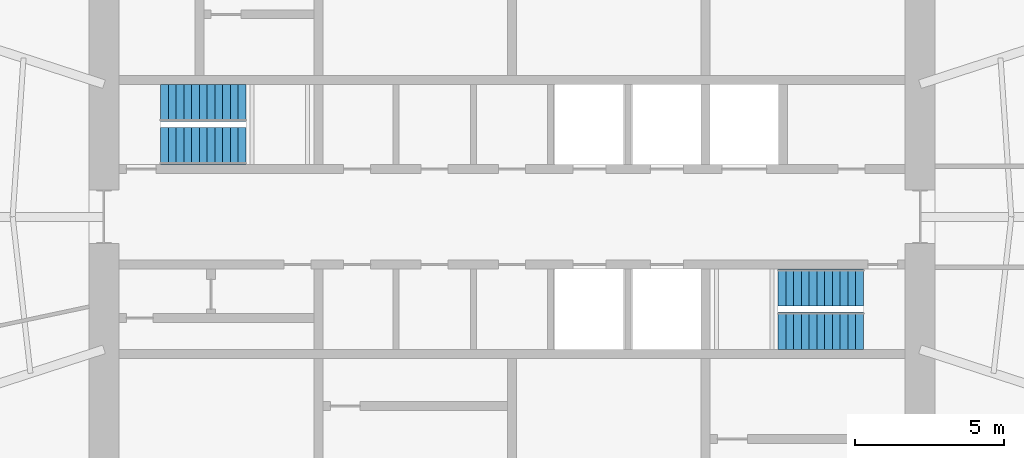
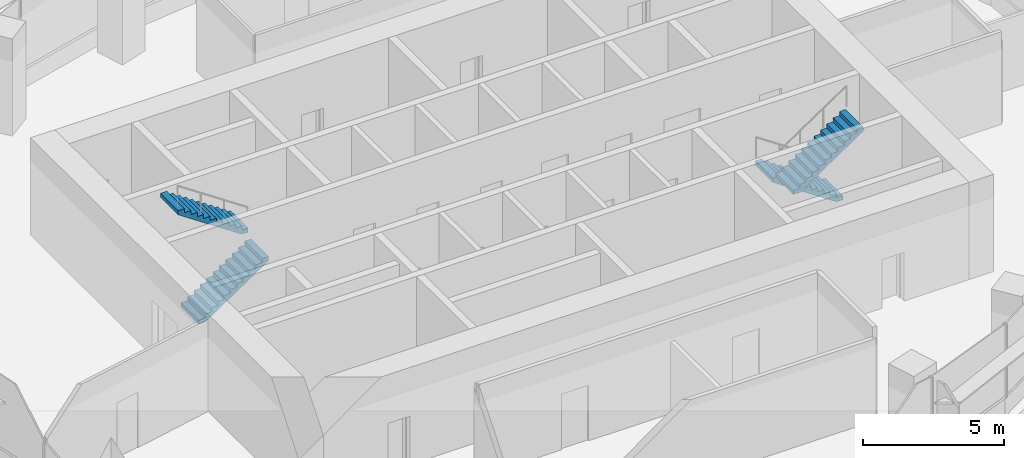
# One storey, part 11 of 13: 4 stair flights, 2 elements without a shape of their own.
"""IFC4 building model written with IfcOpenShell, lengths in metres."""

from ifc_helpers import new_model, si_unit, direction, frame, origin, place, context, subcontext, project, spatial, polyline, outline, extrude, material, type_object, element, aggregate, save


model = new_model("IFC4")

# Units and contexts
model_context = context("Model", 3, precision=1e-05, world=origin(), true_north=direction((0.0, 1.0)))
body_context = subcontext(model_context, "Body", "Model", "MODEL_VIEW")
ifc_project = project(units=[si_unit("LENGTHUNIT", "METRE"), si_unit("AREAUNIT", "SQUARE_METRE"), si_unit("VOLUMEUNIT", "CUBIC_METRE"), si_unit("PLANEANGLEUNIT", "RADIAN"), si_unit("MASSUNIT", "GRAM", prefix="KILO")], contexts=[model_context])

# Site, building, storey
site_placement = place(None, origin())
site = spatial("IfcSite", under=ifc_project, at=site_placement, CompositionType="ELEMENT")
building_placement = place(site_placement, origin())
building = spatial("IfcBuilding", under=site, at=building_placement, Name="Marramba Exchange Tower", CompositionType="ELEMENT")
storey_placement = place(building_placement, frame((0.0, 0.0, 272.800048828125)))
storey = spatial("IfcBuildingStorey", under=building, at=storey_placement, Name="L66", CompositionType="ELEMENT", Elevation=272.800048828125)

# Stair, stair flights
ifc_material = material(Name="Concrete N40 (40 MPa)", Category="concrete")
stair_type_1 = type_object("IfcStairType", Name="Exit stair ST1 4200 x 1250", PredefinedType="HALF_TURN_STAIR", material=ifc_material)
stair_1_placement = place(storey_placement, origin())
stair_1 = element("IfcStair", 1, at=stair_1_placement, inside=storey, type_object=stair_type_1, Name="Exit stair ST1 L66", PredefinedType="HALF_TURN_STAIR")
stair_flight_type_1 = type_object("IfcStairFlightType", Name="ST1 stair flight 1750 riser 1250 wide", PredefinedType="STRAIGHT", material=ifc_material)
stair_flight_1_placement = place(storey_placement, frame((-11.800048828125, 2.375, 0.0), z_axis=(0.0, 0.0, 1.0), x_axis=(1.0, 0.0, 0.0)))
stair_flight_1 = element("IfcStairFlight", 2, at=stair_flight_1_placement, type_object=stair_flight_type_1, Name="ST1 flight 1", NumberOfRisers=12, NumberOfTreads=11, PredefinedType="STRAIGHT", RiserHeight=0.175, TreadLength=0.26, context=body_context, shape_type="SweptSolid", body=[
    extrude(outline(polyline([(0.0, 0.0), (0.0, 0.175048828125), (0.260009765625, 0.175048828125), (0.260009765625, 0.35009765625), (0.52001953125, 0.35009765625), (0.52001953125, 0.52490234375), (0.780029296875, 0.52490234375), (0.780029296875, 0.699951171875), (1.0400390625, 0.699951171875), (1.0400390625, 0.875), (1.300048828125, 0.875), (1.300048828125, 1.050048828125), (1.56005859375, 1.050048828125), (1.56005859375, 1.22509765625), (1.820068359375, 1.22509765625), (1.820068359375, 1.39990234375), (2.080078125, 1.39990234375), (2.080078125, 1.574951171875), (2.340087890625, 1.574951171875), (2.340087890625, 1.75), (2.60009765625, 1.75), (2.60009765625, 1.925048828125), (2.860107421875, 1.925048828125), (2.860107421875, 2.10009765625), (2.860107421875, 1.744384765625), (0.2685546875, 0.0), (0.0, 0.0)])), frame((0.0, 0.625, 0.0), z_axis=(0.0, -1.0, 0.0), x_axis=(1.0, 0.0, 0.0)), (0.0, 0.0, 1.0), 1.25),
])
stair_flight_2_placement = place(storey_placement, frame((-8.93994140625, 3.824951171875, 2.099853515625), z_axis=(0.0, 0.0, 1.0), x_axis=(-1.0, 0.0, 0.0)))
stair_flight_2 = element("IfcStairFlight", 3, at=stair_flight_2_placement, type_object=stair_flight_type_1, Name="ST1 flight 2", NumberOfRisers=12, NumberOfTreads=11, PredefinedType="STRAIGHT", RiserHeight=0.175, TreadLength=0.26, context=body_context, shape_type="SweptSolid", body=[
    extrude(outline(polyline([(0.0, 0.0), (0.0, 0.175048828125), (0.260009765625, 0.175048828125), (0.260009765625, 0.35009765625), (0.52001953125, 0.35009765625), (0.52001953125, 0.52490234375), (0.780029296875, 0.52490234375), (0.780029296875, 0.699951171875), (1.0400390625, 0.699951171875), (1.0400390625, 0.875), (1.300048828125, 0.875), (1.300048828125, 1.050048828125), (1.56005859375, 1.050048828125), (1.56005859375, 1.22509765625), (1.820068359375, 1.22509765625), (1.820068359375, 1.39990234375), (2.080078125, 1.39990234375), (2.080078125, 1.574951171875), (2.340087890625, 1.574951171875), (2.340087890625, 1.75), (2.60009765625, 1.75), (2.60009765625, 1.925048828125), (2.860107421875, 1.925048828125), (2.860107421875, 2.10009765625), (2.860107421875, 1.744384765625), (0.2685546875, 0.0), (0.0, 0.0)])), frame((0.0, 0.625, 0.0), z_axis=(0.0, -1.0, 0.0), x_axis=(1.0, 0.0, 0.0)), (0.0, 0.0, 1.0), 1.25),
])
aggregate(stair_1, [stair_flight_1, stair_flight_2])

stair_type_2 = type_object("IfcStairType", Name="Exit stair ST2 4200 x 1250", PredefinedType="HALF_TURN_STAIR", material=ifc_material)
stair_2_placement = place(storey_placement, origin())
stair_2 = element("IfcStair", 4, at=stair_2_placement, inside=storey, type_object=stair_type_2, Name="Exit stair ST2 L66", PredefinedType="HALF_TURN_STAIR")
stair_flight_type_2 = type_object("IfcStairFlightType", Name="ST2 stair flight 1750 riser 1250 wide", PredefinedType="STRAIGHT", material=ifc_material)
stair_flight_3_placement = place(storey_placement, frame((11.800048828125, -2.375, 0.0), z_axis=(0.0, 0.0, 1.0), x_axis=(-1.0, 0.0, 0.0)))
stair_flight_3 = element("IfcStairFlight", 5, at=stair_flight_3_placement, type_object=stair_flight_type_2, Name="ST2 flight 1", NumberOfRisers=12, NumberOfTreads=11, PredefinedType="STRAIGHT", RiserHeight=0.175, TreadLength=0.26, context=body_context, shape_type="SweptSolid", body=[
    extrude(outline(polyline([(0.0, 0.0), (0.0, 0.175048828125), (0.260009765625, 0.175048828125), (0.260009765625, 0.35009765625), (0.52001953125, 0.35009765625), (0.52001953125, 0.52490234375), (0.780029296875, 0.52490234375), (0.780029296875, 0.699951171875), (1.0400390625, 0.699951171875), (1.0400390625, 0.875), (1.300048828125, 0.875), (1.300048828125, 1.050048828125), (1.56005859375, 1.050048828125), (1.56005859375, 1.22509765625), (1.820068359375, 1.22509765625), (1.820068359375, 1.39990234375), (2.080078125, 1.39990234375), (2.080078125, 1.574951171875), (2.340087890625, 1.574951171875), (2.340087890625, 1.75), (2.60009765625, 1.75), (2.60009765625, 1.925048828125), (2.860107421875, 1.925048828125), (2.860107421875, 2.10009765625), (2.860107421875, 1.744384765625), (0.2685546875, 0.0), (0.0, 0.0)])), frame((0.0, 0.625, 0.0), z_axis=(0.0, -1.0, 0.0), x_axis=(1.0, 0.0, 0.0)), (0.0, 0.0, 1.0), 1.25),
])
stair_flight_4_placement = place(storey_placement, frame((8.93994140625, -3.824951171875, 2.099853515625), z_axis=(0.0, 0.0, 1.0), x_axis=(1.0, 0.0, 0.0)))
stair_flight_4 = element("IfcStairFlight", 6, at=stair_flight_4_placement, type_object=stair_flight_type_2, Name="ST2 flight 2", NumberOfRisers=12, NumberOfTreads=11, PredefinedType="STRAIGHT", RiserHeight=0.175, TreadLength=0.26, context=body_context, shape_type="SweptSolid", body=[
    extrude(outline(polyline([(0.0, 0.0), (0.0, 0.175048828125), (0.260009765625, 0.175048828125), (0.260009765625, 0.35009765625), (0.52001953125, 0.35009765625), (0.52001953125, 0.52490234375), (0.780029296875, 0.52490234375), (0.780029296875, 0.699951171875), (1.0400390625, 0.699951171875), (1.0400390625, 0.875), (1.300048828125, 0.875), (1.300048828125, 1.050048828125), (1.56005859375, 1.050048828125), (1.56005859375, 1.22509765625), (1.820068359375, 1.22509765625), (1.820068359375, 1.39990234375), (2.080078125, 1.39990234375), (2.080078125, 1.574951171875), (2.340087890625, 1.574951171875), (2.340087890625, 1.75), (2.60009765625, 1.75), (2.60009765625, 1.925048828125), (2.860107421875, 1.925048828125), (2.860107421875, 2.10009765625), (2.860107421875, 1.744384765625), (0.2685546875, 0.0), (0.0, 0.0)])), frame((0.0, 0.625, 0.0), z_axis=(0.0, -1.0, 0.0), x_axis=(1.0, 0.0, 0.0)), (0.0, 0.0, 1.0), 1.25),
])
aggregate(stair_2, [stair_flight_3, stair_flight_4])

save(model, "model.ifc")
